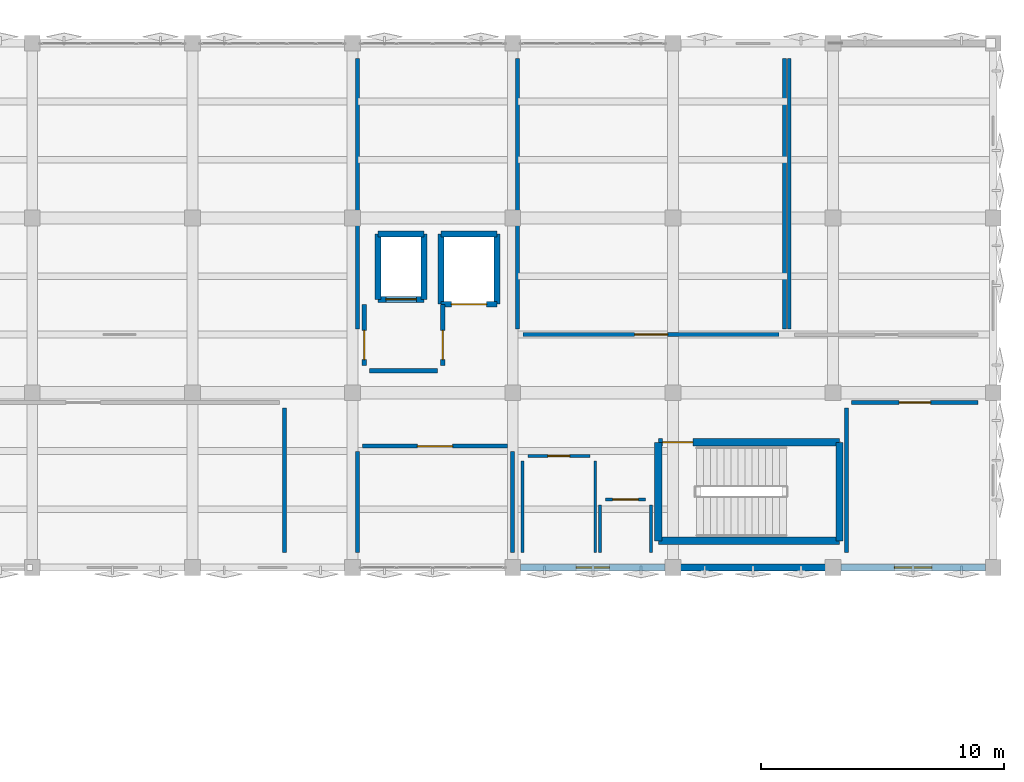
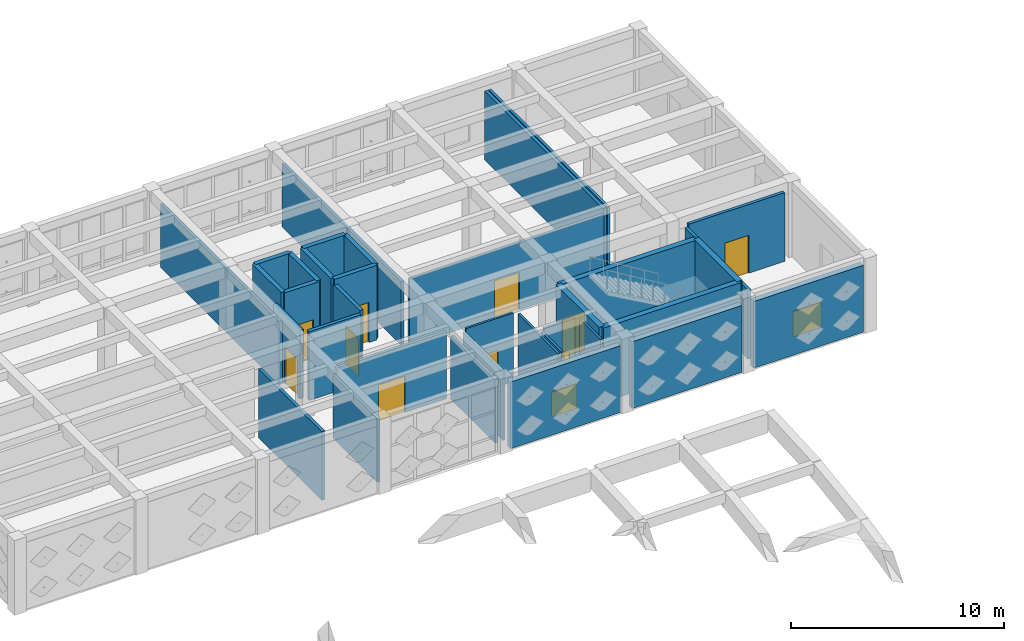
# One storey, part 59 of 67: 35 walls, 10 doors, 2 windows, 12 openings.
"""IFC4 building model written with IfcOpenShell, lengths in metres."""

from ifc_helpers import new_model, si_unit, direction, frame, frame_2d, origin, place, context, subcontext, project, spatial, rectangle, extrude, material, layer, layer_set, type_object, element, fill, save


model = new_model("IFC4")

# Units and contexts
model_context = context("Model", 3, precision=1e-05, world=origin(), true_north=direction((0.0, 1.0)))
body_context = subcontext(model_context, "Body", "Model", "MODEL_VIEW")
ifc_project = project(units=[si_unit("LENGTHUNIT", "METRE"), si_unit("AREAUNIT", "SQUARE_METRE"), si_unit("VOLUMEUNIT", "CUBIC_METRE"), si_unit("PLANEANGLEUNIT", "RADIAN"), si_unit("MASSUNIT", "GRAM", prefix="KILO")], contexts=[model_context])

# Site, building, storey
site_placement = place(None, origin())
site = spatial("IfcSite", under=ifc_project, at=site_placement, CompositionType="ELEMENT")
building_placement = place(site_placement, origin())
building = spatial("IfcBuilding", under=site, at=building_placement, Name="Kharisveld Research Institute", CompositionType="ELEMENT")
storey_placement = place(building_placement, frame((0.0, 0.0, 9.60009765625)))
storey = spatial("IfcBuildingStorey", under=building, at=storey_placement, Name="L02", CompositionType="ELEMENT", Elevation=9.60009765625)

# Walls
ifc_material_1 = material(Name="Concrete C40/50", Category="concrete")
ifc_layer_1 = layer(ifc_material_1, 0.239990234375)
ifc_layer_set_1 = layer_set([ifc_layer_1], Name="WL_CORE_240")
wall_type_1 = type_object("IfcWallType", Name="WL_CORE_240", PredefinedType="SHEAR", material=ifc_layer_set_1)
wall_1_placement = place(storey_placement, frame((135.449951171875, 50.25, 0.0), z_axis=(0.0, 0.0, 1.0), x_axis=(0.0, 1.0, 0.0)))
element("IfcWall", 1, at=wall_1_placement, inside=storey, type_object=wall_type_1, Name="WL:LFT:FFL-02:L02:W", PredefinedType="SHEAR", context=body_context, shape_type="SweptSolid", body=[
    extrude(rectangle(XDim=2.699951171875, YDim=0.239990234375, at=frame_2d((1.35009765625, 0.0))), origin(), (0.0, 0.0, 1.0), 4.27978515625),
])
wall_2_placement = place(storey_placement, frame((135.449951171875, 52.949951171875, 0.0), z_axis=(0.0, 0.0, 1.0), x_axis=(1.0, 0.0, 0.0)))
element("IfcWall", 2, at=wall_2_placement, inside=storey, type_object=wall_type_1, Name="WL:LFT:FFL-02:L02:N", PredefinedType="SHEAR", context=body_context, shape_type="SweptSolid", body=[
    extrude(rectangle(XDim=1.900146484375, YDim=0.239990234375, at=frame_2d((0.9501953125, 0.0))), origin(), (0.0, 0.0, 1.0), 4.27978515625),
])
wall_3_placement = place(storey_placement, frame((137.35009765625, 52.949951171875, 0.0), z_axis=(0.0, 0.0, 1.0), x_axis=(0.0, -1.0, 0.0)))
element("IfcWall", 3, at=wall_3_placement, inside=storey, type_object=wall_type_1, Name="WL:LFT:FFL-02:L02:E", PredefinedType="SHEAR", context=body_context, shape_type="SweptSolid", body=[
    extrude(rectangle(XDim=2.699951171875, YDim=0.239990234375, at=frame_2d((1.35009765625, 0.0))), origin(), (0.0, 0.0, 1.0), 4.27978515625),
])

# Wall, opening, door
wall_4_placement = place(storey_placement, frame((137.35009765625, 50.25, 0.0), z_axis=(0.0, 0.0, 1.0), x_axis=(-1.0, 0.0, 0.0)))
wall_4 = element("IfcWall", 4, at=wall_4_placement, inside=storey, type_object=wall_type_1, Name="WL:LFT:FFL-02:L02:S", PredefinedType="SHEAR", context=body_context, shape_type="SweptSolid", body=[
    extrude(rectangle(XDim=1.900146484375, YDim=0.239990234375, at=frame_2d((0.9501953125, 0.0))), origin(), (0.0, 0.0, 1.0), 4.27978515625),
])
opening_1_placement = place(wall_4_placement, frame((0.324951171875, 0.0, 0.0)))
opening_1 = element("IfcOpeningElement", 5, at=opening_1_placement, cuts=wall_4, Name="Opening LD-02", PredefinedType="OPENING", context=body_context, shape_type="SweptSolid", body=[
    extrude(rectangle(XDim=1.25, YDim=2.199951171875, at=frame_2d((0.625, 1.10009765625))), frame((0.0, 0.1201171875, 0.0), z_axis=(0.0, -1.0, 0.0), x_axis=(1.0, 0.0, 0.0)), (0.0, 0.0, 1.0), 0.239990234375),
])
ifc_material_2 = material(Name="Flush Painted Hardwood and Anodised Aluminium", Category="wood")
door_type_1 = type_object("IfcDoorType", Name="DR_LFT_125", OperationType="SLIDING_TO_RIGHT", PredefinedType="DOOR", material=ifc_material_2)
door_1_placement = place(opening_1_placement, origin())
door_1 = element("IfcDoor", 6, at=door_1_placement, inside=storey, type_object=door_type_1, Name="FFL-02 Lift Landing Door L02", OperationType="SLIDING_TO_RIGHT", OverallHeight=2.199951171875, OverallWidth=1.25, PredefinedType="DOOR", context=body_context, shape_type="SweptSolid", body=[
    extrude(rectangle(XDim=1.25, YDim=2.199951171875, at=frame_2d((0.625, 1.10009765625))), frame((0.0, 0.02490234375, 0.0), z_axis=(0.0, -1.0, 0.0), x_axis=(1.0, 0.0, 0.0)), (0.0, 0.0, 1.0), 0.050048828125),
])
fill(opening_1, door_1)

# Walls
wall_5_placement = place(storey_placement, frame((138.050048828125, 50.050048828125, 0.0), z_axis=(0.0, 0.0, 1.0), x_axis=(0.0, 1.0, 0.0)))
element("IfcWall", 7, at=wall_5_placement, inside=storey, type_object=wall_type_1, Name="WL:LFT:GL-01:L02:W", PredefinedType="SHEAR", context=body_context, shape_type="SweptSolid", body=[
    extrude(rectangle(XDim=2.89990234375, YDim=0.239990234375, at=frame_2d((1.449951171875, 0.0))), origin(), (0.0, 0.0, 1.0), 4.27978515625),
])
wall_6_placement = place(storey_placement, frame((138.050048828125, 52.949951171875, 0.0), z_axis=(0.0, 0.0, 1.0), x_axis=(1.0, 0.0, 0.0)))
element("IfcWall", 8, at=wall_6_placement, inside=storey, type_object=wall_type_1, Name="WL:LFT:GL-01:L02:N", PredefinedType="SHEAR", context=body_context, shape_type="SweptSolid", body=[
    extrude(rectangle(XDim=2.300048828125, YDim=0.239990234375, at=frame_2d((1.14990234375, 0.0))), origin(), (0.0, 0.0, 1.0), 4.27978515625),
])
wall_7_placement = place(storey_placement, frame((140.35009765625, 52.949951171875, 0.0), z_axis=(0.0, 0.0, 1.0), x_axis=(0.0, -1.0, 0.0)))
element("IfcWall", 9, at=wall_7_placement, inside=storey, type_object=wall_type_1, Name="WL:LFT:GL-01:L02:E", PredefinedType="SHEAR", context=body_context, shape_type="SweptSolid", body=[
    extrude(rectangle(XDim=2.89990234375, YDim=0.239990234375, at=frame_2d((1.449951171875, 0.0))), origin(), (0.0, 0.0, 1.0), 4.27978515625),
])

# Wall, opening, door
wall_8_placement = place(storey_placement, frame((140.35009765625, 50.050048828125, 0.0), z_axis=(0.0, 0.0, 1.0), x_axis=(-1.0, 0.0, 0.0)))
wall_8 = element("IfcWall", 10, at=wall_8_placement, inside=storey, type_object=wall_type_1, Name="WL:LFT:GL-01:L02:S", PredefinedType="SHEAR", context=body_context, shape_type="SweptSolid", body=[
    extrude(rectangle(XDim=2.300048828125, YDim=0.239990234375, at=frame_2d((1.14990234375, 0.0))), origin(), (0.0, 0.0, 1.0), 4.27978515625),
])
opening_2_placement = place(wall_8_placement, frame((0.425048828125, 0.0, 0.0)))
opening_2 = element("IfcOpeningElement", 11, at=opening_2_placement, cuts=wall_8, Name="Opening LD-03", PredefinedType="OPENING", context=body_context, shape_type="SweptSolid", body=[
    extrude(rectangle(XDim=1.449951171875, YDim=2.300048828125, at=frame_2d((0.72509765625, 1.14990234375))), frame((0.0, 0.1201171875, 0.0), z_axis=(0.0, -1.0, 0.0), x_axis=(1.0, 0.0, 0.0)), (0.0, 0.0, 1.0), 0.239990234375),
])
ifc_material_3 = material(Name="Flush Painted Hardwood and Anodised Aluminium", Category="wood")
door_type_2 = type_object("IfcDoorType", Name="DR_LFT_145", OperationType="DOUBLE_DOOR_SLIDING", PredefinedType="DOOR", material=ifc_material_3)
door_2_placement = place(opening_2_placement, origin())
door_2 = element("IfcDoor", 12, at=door_2_placement, inside=storey, type_object=door_type_2, Name="GL-01 Lift Landing Door L02", OperationType="DOUBLE_DOOR_SLIDING", OverallHeight=2.300048828125, OverallWidth=1.449951171875, PredefinedType="DOOR", context=body_context, shape_type="SweptSolid", body=[
    extrude(rectangle(XDim=1.449951171875, YDim=2.300048828125, at=frame_2d((0.72509765625, 1.14990234375))), frame((0.0, 0.02490234375, 0.0), z_axis=(0.0, -1.0, 0.0), x_axis=(1.0, 0.0, 0.0)), (0.0, 0.0, 1.0), 0.050048828125),
])
fill(opening_2, door_2)

# Wall
ifc_material_4 = material(Name="Concrete C40/50", Category="concrete")
ifc_layer_2 = layer(ifc_material_4, 0.300048828125)
ifc_layer_set_2 = layer_set([ifc_layer_2], Name="WL_CORE_300")
wall_type_2 = type_object("IfcWallType", Name="WL_CORE_300", PredefinedType="SHEAR", material=ifc_layer_set_2)
wall_9_placement = place(storey_placement, frame((147.0, 40.300048828125, 0.0), z_axis=(0.0, 0.0, 1.0), x_axis=(0.0, 1.0, 0.0)))
element("IfcWall", 13, at=wall_9_placement, inside=storey, type_object=wall_type_2, Name="WL:STR:ST3:L02:W", PredefinedType="SHEAR", context=body_context, shape_type="SweptSolid", body=[
    extrude(rectangle(XDim=4.06005859375, YDim=0.300048828125, at=frame_2d((2.030029296875, 0.0))), origin(), (0.0, 0.0, 1.0), 4.27978515625),
])

# Wall, opening, door
wall_10_placement = place(storey_placement, frame((147.0, 44.360107421875, 0.0), z_axis=(0.0, 0.0, 1.0), x_axis=(1.0, 0.0, 0.0)))
wall_10 = element("IfcWall", 14, at=wall_10_placement, inside=storey, type_object=wall_type_2, Name="WL:STR:ST3:L02:N", PredefinedType="SHEAR", context=body_context, shape_type="SweptSolid", body=[
    extrude(rectangle(XDim=7.469970703125, YDim=0.300048828125, at=frame_2d((3.73486328125, 0.0))), origin(), (0.0, 0.0, 1.0), 4.27978515625),
])
opening_3_placement = place(wall_10_placement, frame((0.179931640625, 0.0, 0.0)))
opening_3 = element("IfcOpeningElement", 15, at=opening_3_placement, cuts=wall_10, Name="Opening DS-030", PredefinedType="OPENING", context=body_context, shape_type="SweptSolid", body=[
    extrude(rectangle(XDim=1.239990234375, YDim=2.14990234375, at=frame_2d((0.6201171875, 1.074951171875))), frame((0.0, 0.14990234375, 0.0), z_axis=(0.0, -1.0, 0.0), x_axis=(1.0, 0.0, 0.0)), (0.0, 0.0, 1.0), 0.300048828125),
])
ifc_material_5 = material(Name="Flush Painted Hardwood and Anodised Aluminium", Category="wood")
door_type_3 = type_object("IfcDoorType", Name="DR_FD60_124", OperationType="NOTDEFINED", PredefinedType="DOOR", material=ifc_material_5)
door_3_placement = place(opening_3_placement, origin())
door_3 = element("IfcDoor", 16, at=door_3_placement, inside=storey, type_object=door_type_3, Name="DR:STR:ST3:L02", OperationType="SINGLE_SWING_LEFT", OverallHeight=2.14990234375, OverallWidth=1.239990234375, PredefinedType="DOOR", context=body_context, shape_type="SweptSolid", body=[
    extrude(rectangle(XDim=1.239990234375, YDim=2.14990234375, at=frame_2d((0.6201171875, 1.074951171875))), frame((0.0, 0.02490234375, 0.0), z_axis=(0.0, -1.0, 0.0), x_axis=(1.0, 0.0, 0.0)), (0.0, 0.0, 1.0), 0.050048828125),
])
fill(opening_3, door_3)

# Walls
wall_11_placement = place(storey_placement, frame((154.469970703125, 44.360107421875, 0.0), z_axis=(0.0, 0.0, 1.0), x_axis=(0.0, -1.0, 0.0)))
element("IfcWall", 17, at=wall_11_placement, inside=storey, type_object=wall_type_2, Name="WL:STR:ST3:L02:E", PredefinedType="SHEAR", context=body_context, shape_type="SweptSolid", body=[
    extrude(rectangle(XDim=4.06005859375, YDim=0.300048828125, at=frame_2d((2.030029296875, 0.0))), origin(), (0.0, 0.0, 1.0), 4.27978515625),
])
wall_12_placement = place(storey_placement, frame((154.469970703125, 40.300048828125, 0.0), z_axis=(0.0, 0.0, 1.0), x_axis=(-1.0, 0.0, 0.0)))
element("IfcWall", 18, at=wall_12_placement, inside=storey, type_object=wall_type_2, Name="WL:STR:ST3:L02:S", PredefinedType="SHEAR", context=body_context, shape_type="SweptSolid", body=[
    extrude(rectangle(XDim=7.469970703125, YDim=0.300048828125, at=frame_2d((3.73486328125, 0.0))), origin(), (0.0, 0.0, 1.0), 4.27978515625),
])

# Wall, opening, window
ifc_material_6 = material(Name="Precast Concrete C40/50 Ochre Panel", Category="concrete")
ifc_layer_3 = layer(ifc_material_6, 0.304931640625)
ifc_layer_set_3 = layer_set([ifc_layer_3], Name="WL_EXT_305")
wall_type_3 = type_object("IfcWallType", Name="WL_EXT_305", PredefinedType="STANDARD", material=ifc_layer_set_3)
wall_13_placement = place(storey_placement, frame((160.47998046875, 39.199951171875, 0.0), z_axis=(0.0, 0.0, 1.0), x_axis=(-1.0, 0.0, 0.0)))
wall_13 = element("IfcWall", 19, at=wall_13_placement, inside=storey, type_object=wall_type_3, Name="WL:V2:L02:S7", PredefinedType="STANDARD", context=body_context, shape_type="SweptSolid", body=[
    extrude(rectangle(XDim=5.9599609375, YDim=0.304931640625, at=frame_2d((2.97998046875, 0.0))), origin(), (0.0, 0.0, 1.0), 3.8349609375),
])
opening_4_placement = place(wall_13_placement, frame((2.205078125, 0.0, 0.949951171875)))
opening_4 = element("IfcOpeningElement", 20, at=opening_4_placement, cuts=wall_13, Name="Opening WN-25", PredefinedType="OPENING", context=body_context, shape_type="SweptSolid", body=[
    extrude(rectangle(XDim=1.550048828125, YDim=1.4599609375, at=frame_2d((0.77490234375, 0.72998046875))), frame((0.0, 0.15234375, 0.0), z_axis=(0.0, -1.0, 0.0), x_axis=(1.0, 0.0, 0.0)), (0.0, 0.0, 1.0), 0.304931640625),
])
ifc_material_7 = material(Name="Low-E Double Glazing", Category="glass")
window_type_1 = type_object("IfcWindowType", Name="WN_25", PartitioningType="DOUBLE_PANEL_VERTICAL", PredefinedType="WINDOW", material=ifc_material_7)
window_1_placement = place(opening_4_placement, origin())
window_1 = element("IfcWindow", 21, at=window_1_placement, inside=storey, type_object=window_type_1, Name="WN:V2:L02:S7", OverallHeight=1.4599609375, OverallWidth=1.550048828125, PartitioningType="SINGLE_PANEL", PredefinedType="WINDOW", context=body_context, shape_type="SweptSolid", body=[
    extrude(rectangle(XDim=1.550048828125, YDim=1.4599609375, at=frame_2d((0.77490234375, 0.72998046875))), frame((0.0, 0.030029296875, 0.0), z_axis=(0.0, -1.0, 0.0), x_axis=(1.0, 0.0, 0.0)), (0.0, 0.0, 1.0), 0.06005859375),
])
fill(opening_4, window_1)

# Wall
wall_14_placement = place(storey_placement, frame((153.8798828125, 39.199951171875, 0.0), z_axis=(0.0, 0.0, 1.0), x_axis=(-1.0, 0.0, 0.0)))
element("IfcWall", 22, at=wall_14_placement, inside=storey, type_object=wall_type_3, Name="WL:V2:L02:S6", PredefinedType="STANDARD", context=body_context, shape_type="SweptSolid", body=[
    extrude(rectangle(XDim=5.9599609375, YDim=0.304931640625, at=frame_2d((2.97998046875, 0.0))), origin(), (0.0, 0.0, 1.0), 3.8349609375),
])

# Wall, opening, window
wall_15_placement = place(storey_placement, frame((147.280029296875, 39.199951171875, 0.0), z_axis=(0.0, 0.0, 1.0), x_axis=(-1.0, 0.0, 0.0)))
wall_15 = element("IfcWall", 23, at=wall_15_placement, inside=storey, type_object=wall_type_3, Name="WL:V2:L02:S5", PredefinedType="STANDARD", context=body_context, shape_type="SweptSolid", body=[
    extrude(rectangle(XDim=5.9599609375, YDim=0.304931640625, at=frame_2d((2.97998046875, 0.0))), origin(), (0.0, 0.0, 1.0), 3.8349609375),
])
opening_5_placement = place(wall_15_placement, frame((2.294921875, 0.0, 0.949951171875)))
opening_5 = element("IfcOpeningElement", 24, at=opening_5_placement, cuts=wall_15, Name="Opening WN-23", PredefinedType="OPENING", context=body_context, shape_type="SweptSolid", body=[
    extrude(rectangle(XDim=1.3701171875, YDim=1.419921875, at=frame_2d((0.68505859375, 0.7099609375))), frame((0.0, 0.15234375, 0.0), z_axis=(0.0, -1.0, 0.0), x_axis=(1.0, 0.0, 0.0)), (0.0, 0.0, 1.0), 0.304931640625),
])
ifc_material_8 = material(Name="Low-E Double Glazing", Category="glass")
window_type_2 = type_object("IfcWindowType", Name="WN_23", PartitioningType="DOUBLE_PANEL_VERTICAL", PredefinedType="WINDOW", material=ifc_material_8)
window_2_placement = place(opening_5_placement, origin())
window_2 = element("IfcWindow", 25, at=window_2_placement, inside=storey, type_object=window_type_2, Name="WN:V2:L02:S5", OverallHeight=1.419921875, OverallWidth=1.3701171875, PartitioningType="SINGLE_PANEL", PredefinedType="WINDOW", context=body_context, shape_type="SweptSolid", body=[
    extrude(rectangle(XDim=1.3701171875, YDim=1.419921875, at=frame_2d((0.68505859375, 0.7099609375))), frame((0.0, 0.030029296875, 0.0), z_axis=(0.0, -1.0, 0.0), x_axis=(1.0, 0.0, 0.0)), (0.0, 0.0, 1.0), 0.06005859375),
])
fill(opening_5, window_2)

# Wall
ifc_material_9 = material(Name="Acoustic Drywall Partition", Category="mineral")
ifc_layer_4 = layer(ifc_material_9, 0.1650390625)
ifc_layer_set_4 = layer_set([ifc_layer_4], Name="WL_LAB_165")
wall_type_4 = type_object("IfcWallType", Name="WL_LAB_165", PredefinedType="PARTITIONING", material=ifc_layer_set_4)
wall_16_placement = place(storey_placement, frame((134.60009765625, 49.02001953125, 0.0), z_axis=(0.0, 0.0, 1.0), x_axis=(0.0, 1.0, 0.0)))
element("IfcWall", 26, at=wall_16_placement, inside=storey, type_object=wall_type_4, Name="WL:RM:V2:L02:WLA:E", PredefinedType="PARTITIONING", context=body_context, shape_type="SweptSolid", body=[
    extrude(rectangle(XDim=11.159912109375, YDim=0.1650390625, at=frame_2d((5.580078125, 0.0))), origin(), (0.0, 0.0, 1.0), 3.635009765625),
])

# Wall, opening, door
wall_17_placement = place(storey_placement, frame((141.419921875, 48.800048828125, 0.0), z_axis=(0.0, 0.0, 1.0), x_axis=(1.0, 0.0, 0.0)))
wall_17 = element("IfcWall", 27, at=wall_17_placement, inside=storey, type_object=wall_type_4, Name="WL:RM:V2:L02:WLB:S", PredefinedType="PARTITIONING", context=body_context, shape_type="SweptSolid", body=[
    extrude(rectangle(XDim=10.56005859375, YDim=0.1650390625, at=frame_2d((5.280029296875, 0.0))), origin(), (0.0, 0.0, 1.0), 3.8349609375),
])
opening_6_placement = place(wall_17_placement, frame((4.60009765625, 0.0, 0.0)))
opening_6 = element("IfcOpeningElement", 28, at=opening_6_placement, cuts=wall_17, Name="Opening DI-208", PredefinedType="OPENING", context=body_context, shape_type="SweptSolid", body=[
    extrude(rectangle(XDim=1.360107421875, YDim=2.139892578125, at=frame_2d((0.68017578125, 1.06982421875))), frame((0.0, 0.08251953125, 0.0), z_axis=(0.0, -1.0, 0.0), x_axis=(1.0, 0.0, 0.0)), (0.0, 0.0, 1.0), 0.1650390625),
])
ifc_material_10 = material(Name="Flush Painted Hardwood and Anodised Aluminium", Category="wood")
door_type_4 = type_object("IfcDoorType", Name="DR_VAR_16", OperationType="NOTDEFINED", PredefinedType="DOOR", material=ifc_material_10)
door_4_placement = place(opening_6_placement, origin())
door_4 = element("IfcDoor", 29, at=door_4_placement, inside=storey, type_object=door_type_4, Name="DR:RM:V2:L02:WLB:S", OperationType="SINGLE_SWING_RIGHT", OverallHeight=2.139892578125, OverallWidth=1.360107421875, PredefinedType="DOOR", context=body_context, shape_type="SweptSolid", body=[
    extrude(rectangle(XDim=1.360107421875, YDim=2.139892578125, at=frame_2d((0.68017578125, 1.06982421875))), frame((0.0, 0.02490234375, 0.0), z_axis=(0.0, -1.0, 0.0), x_axis=(1.0, 0.0, 0.0)), (0.0, 0.0, 1.0), 0.050048828125),
])
fill(opening_6, door_4)

# Walls
wall_18_placement = place(storey_placement, frame((152.199951171875, 49.02001953125, 0.0), z_axis=(0.0, 0.0, 1.0), x_axis=(0.0, 1.0, 0.0)))
element("IfcWall", 30, at=wall_18_placement, inside=storey, type_object=wall_type_4, Name="WL:RM:V2:L02:WLB:E", PredefinedType="PARTITIONING", context=body_context, shape_type="SweptSolid", body=[
    extrude(rectangle(XDim=11.159912109375, YDim=0.1650390625, at=frame_2d((5.580078125, 0.0))), origin(), (0.0, 0.0, 1.0), 3.949951171875),
])
wall_19_placement = place(storey_placement, frame((141.199951171875, 60.179931640625, 0.0), z_axis=(0.0, 0.0, 1.0), x_axis=(0.0, -1.0, 0.0)))
element("IfcWall", 31, at=wall_19_placement, inside=storey, type_object=wall_type_4, Name="WL:RM:V2:L02:WLB:W", PredefinedType="PARTITIONING", context=body_context, shape_type="SweptSolid", body=[
    extrude(rectangle(XDim=11.159912109375, YDim=0.1650390625, at=frame_2d((5.580078125, 0.0))), origin(), (0.0, 0.0, 1.0), 3.635009765625),
])
wall_20_placement = place(storey_placement, frame((131.60009765625, 39.820068359375, 0.0), z_axis=(0.0, 0.0, 1.0), x_axis=(0.0, 1.0, 0.0)))
element("IfcWall", 32, at=wall_20_placement, inside=storey, type_object=wall_type_4, Name="WL:RM:V2:L02:WLC:E", PredefinedType="PARTITIONING", context=body_context, shape_type="SweptSolid", body=[
    extrude(rectangle(XDim=5.9599609375, YDim=0.1650390625, at=frame_2d((2.97998046875, 0.0))), origin(), (0.0, 0.0, 1.0), 3.949951171875),
])
wall_21_placement = place(storey_placement, frame((141.0, 39.820068359375, 0.0), z_axis=(0.0, 0.0, 1.0), x_axis=(0.0, 1.0, 0.0)))
element("IfcWall", 33, at=wall_21_placement, inside=storey, type_object=wall_type_4, Name="WL:RM:V2:L02:WLE:E", PredefinedType="PARTITIONING", context=body_context, shape_type="SweptSolid", body=[
    extrude(rectangle(XDim=4.159912109375, YDim=0.1650390625, at=frame_2d((2.080078125, 0.0))), origin(), (0.0, 0.0, 1.0), 3.635009765625),
])

# Wall, opening, door
wall_22_placement = place(storey_placement, frame((140.780029296875, 44.199951171875, 0.0), z_axis=(0.0, 0.0, 1.0), x_axis=(-1.0, 0.0, 0.0)))
wall_22 = element("IfcWall", 34, at=wall_22_placement, inside=storey, type_object=wall_type_4, Name="WL:RM:V2:L02:WLE:N", PredefinedType="PARTITIONING", context=body_context, shape_type="SweptSolid", body=[
    extrude(rectangle(XDim=5.9599609375, YDim=0.1650390625, at=frame_2d((2.97998046875, 0.0))), origin(), (0.0, 0.0, 1.0), 3.8349609375),
])
opening_7_placement = place(wall_22_placement, frame((2.2548828125, 0.0, 0.0)))
opening_7 = element("IfcOpeningElement", 35, at=opening_7_placement, cuts=wall_22, Name="Opening DI-211", PredefinedType="OPENING", context=body_context, shape_type="SweptSolid", body=[
    extrude(rectangle(XDim=1.449951171875, YDim=2.080078125, at=frame_2d((0.72509765625, 1.0400390625))), frame((0.0, 0.08251953125, 0.0), z_axis=(0.0, -1.0, 0.0), x_axis=(1.0, 0.0, 0.0)), (0.0, 0.0, 1.0), 0.1650390625),
])
ifc_material_11 = material(Name="Flush Painted Hardwood and Anodised Aluminium", Category="wood")
door_type_5 = type_object("IfcDoorType", Name="DR_VAR_19", OperationType="NOTDEFINED", PredefinedType="DOOR", material=ifc_material_11)
door_5_placement = place(opening_7_placement, origin())
door_5 = element("IfcDoor", 36, at=door_5_placement, inside=storey, type_object=door_type_5, Name="DR:RM:V2:L02:WLE:N", OperationType="SINGLE_SWING_LEFT", OverallHeight=2.080078125, OverallWidth=1.449951171875, PredefinedType="DOOR", context=body_context, shape_type="SweptSolid", body=[
    extrude(rectangle(XDim=1.449951171875, YDim=2.080078125, at=frame_2d((0.72509765625, 1.0400390625))), frame((0.0, 0.02490234375, 0.0), z_axis=(0.0, -1.0, 0.0), x_axis=(1.0, 0.0, 0.0)), (0.0, 0.0, 1.0), 0.050048828125),
])
fill(opening_7, door_5)

# Wall
wall_23_placement = place(storey_placement, frame((134.60009765625, 43.97998046875, 0.0), z_axis=(0.0, 0.0, 1.0), x_axis=(0.0, -1.0, 0.0)))
element("IfcWall", 37, at=wall_23_placement, inside=storey, type_object=wall_type_4, Name="WL:RM:V2:L02:WLE:W", PredefinedType="PARTITIONING", context=body_context, shape_type="SweptSolid", body=[
    extrude(rectangle(XDim=4.159912109375, YDim=0.1650390625, at=frame_2d((2.080078125, 0.0))), origin(), (0.0, 0.0, 1.0), 3.635009765625),
])

# Wall, opening, door
wall_24_placement = place(storey_placement, frame((160.179931640625, 46.0, 0.0), z_axis=(0.0, 0.0, 1.0), x_axis=(-1.0, 0.0, 0.0)))
wall_24 = element("IfcWall", 38, at=wall_24_placement, inside=storey, type_object=wall_type_4, Name="WL:RM:V2:L02:SEM:N", PredefinedType="PARTITIONING", context=body_context, shape_type="SweptSolid", body=[
    extrude(rectangle(XDim=5.2099609375, YDim=0.1650390625, at=frame_2d((2.60498046875, 0.0))), origin(), (0.0, 0.0, 1.0), 3.949951171875),
])
opening_8_placement = place(wall_24_placement, frame((1.955078125, 0.0, 0.0)))
opening_8 = element("IfcOpeningElement", 39, at=opening_8_placement, cuts=wall_24, Name="Opening DI-212", PredefinedType="OPENING", context=body_context, shape_type="SweptSolid", body=[
    extrude(rectangle(XDim=1.300048828125, YDim=2.179931640625, at=frame_2d((0.64990234375, 1.08984375))), frame((0.0, 0.08251953125, 0.0), z_axis=(0.0, -1.0, 0.0), x_axis=(1.0, 0.0, 0.0)), (0.0, 0.0, 1.0), 0.1650390625),
])
ifc_material_12 = material(Name="Flush Painted Hardwood and Anodised Aluminium", Category="wood")
door_type_6 = type_object("IfcDoorType", Name="DR_SEM_130", OperationType="DOUBLE_DOOR_SINGLE_SWING", PredefinedType="DOOR", material=ifc_material_12)
door_6_placement = place(opening_8_placement, origin())
door_6 = element("IfcDoor", 40, at=door_6_placement, inside=storey, type_object=door_type_6, Name="DR:RM:V2:L02:SEM:N", OperationType="DOUBLE_DOOR_SINGLE_SWING", OverallHeight=2.179931640625, OverallWidth=1.300048828125, PredefinedType="DOOR", context=body_context, shape_type="SweptSolid", body=[
    extrude(rectangle(XDim=1.300048828125, YDim=2.179931640625, at=frame_2d((0.64990234375, 1.08984375))), frame((0.0, 0.02490234375, 0.0), z_axis=(0.0, -1.0, 0.0), x_axis=(1.0, 0.0, 0.0)), (0.0, 0.0, 1.0), 0.050048828125),
])
fill(opening_8, door_6)

# Walls
wall_25_placement = place(storey_placement, frame((154.75, 45.780029296875, 0.0), z_axis=(0.0, 0.0, 1.0), x_axis=(0.0, -1.0, 0.0)))
element("IfcWall", 41, at=wall_25_placement, inside=storey, type_object=wall_type_4, Name="WL:RM:V2:L02:SEM:W", PredefinedType="PARTITIONING", context=body_context, shape_type="SweptSolid", body=[
    extrude(rectangle(XDim=5.9599609375, YDim=0.1650390625, at=frame_2d((2.97998046875, 0.0))), origin(), (0.0, 0.0, 1.0), 3.949951171875),
])
ifc_material_13 = material(Name="Masonry Blockwork", Category="masonry")
ifc_layer_5 = layer(ifc_material_13, 0.18505859375)
ifc_layer_set_5 = layer_set([ifc_layer_5], Name="WL_LOB_185")
wall_type_5 = type_object("IfcWallType", Name="WL_LOB_185", PredefinedType="SOLIDWALL", material=ifc_layer_set_5)
wall_26_placement = place(storey_placement, frame((135.10009765625, 47.300048828125, 0.0), z_axis=(0.0, 0.0, 1.0), x_axis=(1.0, 0.0, 0.0)))
element("IfcWall", 42, at=wall_26_placement, inside=storey, type_object=wall_type_5, Name="WL:RM:V2:L02:FFL:S", PredefinedType="SOLIDWALL", context=body_context, shape_type="SweptSolid", body=[
    extrude(rectangle(XDim=2.7998046875, YDim=0.18505859375, at=frame_2d((1.39990234375, 0.0))), origin(), (0.0, 0.0, 1.0), 3.949951171875),
])

# Wall, opening, door
wall_27_placement = place(storey_placement, frame((138.1201171875, 47.52001953125, 0.0), z_axis=(0.0, 0.0, 1.0), x_axis=(0.0, 1.0, 0.0)))
wall_27 = element("IfcWall", 43, at=wall_27_placement, inside=storey, type_object=wall_type_5, Name="WL:RM:V2:L02:FFL:E", PredefinedType="SOLIDWALL", context=body_context, shape_type="SweptSolid", body=[
    extrude(rectangle(XDim=2.510009765625, YDim=0.18505859375, at=frame_2d((1.2548828125, 0.0))), origin(), (0.0, 0.0, 1.0), 3.949951171875),
])
opening_9_placement = place(wall_27_placement, frame((0.25, 0.0, 0.0)))
opening_9 = element("IfcOpeningElement", 44, at=opening_9_placement, cuts=wall_27, Name="Opening DI-203", PredefinedType="OPENING", context=body_context, shape_type="SweptSolid", body=[
    extrude(rectangle(XDim=1.199951171875, YDim=2.14990234375, at=frame_2d((0.60009765625, 1.074951171875))), frame((0.0, 0.092529296875, 0.0), z_axis=(0.0, -1.0, 0.0), x_axis=(1.0, 0.0, 0.0)), (0.0, 0.0, 1.0), 0.18505859375),
])
ifc_material_14 = material(Name="Flush Painted Hardwood and Anodised Aluminium", Category="wood")
door_type_7 = type_object("IfcDoorType", Name="DR_FD120_120", OperationType="NOTDEFINED", PredefinedType="DOOR", material=ifc_material_14)
door_7_placement = place(opening_9_placement, origin())
door_7 = element("IfcDoor", 45, at=door_7_placement, inside=storey, type_object=door_type_7, Name="DR:RM:V2:L02:FFL:E", OperationType="SINGLE_SWING_LEFT", OverallHeight=2.14990234375, OverallWidth=1.199951171875, PredefinedType="DOOR", context=body_context, shape_type="SweptSolid", body=[
    extrude(rectangle(XDim=1.199951171875, YDim=2.14990234375, at=frame_2d((0.60009765625, 1.074951171875))), frame((0.0, 0.02490234375, 0.0), z_axis=(0.0, -1.0, 0.0), x_axis=(1.0, 0.0, 0.0)), (0.0, 0.0, 1.0), 0.050048828125),
])
fill(opening_9, door_7)

wall_28_placement = place(storey_placement, frame((134.8798828125, 50.030029296875, 0.0), z_axis=(0.0, 0.0, 1.0), x_axis=(0.0, -1.0, 0.0)))
wall_28 = element("IfcWall", 46, at=wall_28_placement, inside=storey, type_object=wall_type_5, Name="WL:RM:V2:L02:FFL:W", PredefinedType="SOLIDWALL", context=body_context, shape_type="SweptSolid", body=[
    extrude(rectangle(XDim=2.510009765625, YDim=0.18505859375, at=frame_2d((1.2548828125, 0.0))), origin(), (0.0, 0.0, 1.0), 3.949951171875),
])
opening_10_placement = place(wall_28_placement, frame((1.06005859375, 0.0, 0.0)))
opening_10 = element("IfcOpeningElement", 47, at=opening_10_placement, cuts=wall_28, Name="Opening DI-204", PredefinedType="OPENING", context=body_context, shape_type="SweptSolid", body=[
    extrude(rectangle(XDim=1.199951171875, YDim=2.14990234375, at=frame_2d((0.60009765625, 1.074951171875))), frame((0.0, 0.092529296875, 0.0), z_axis=(0.0, -1.0, 0.0), x_axis=(1.0, 0.0, 0.0)), (0.0, 0.0, 1.0), 0.18505859375),
])
door_8_placement = place(opening_10_placement, origin())
door_8 = element("IfcDoor", 48, at=door_8_placement, inside=storey, type_object=door_type_7, Name="DR:RM:V2:L02:FFL:W", OperationType="SINGLE_SWING_RIGHT", OverallHeight=2.14990234375, OverallWidth=1.199951171875, PredefinedType="DOOR", context=body_context, shape_type="SweptSolid", body=[
    extrude(rectangle(XDim=1.199951171875, YDim=2.14990234375, at=frame_2d((0.60009765625, 1.074951171875))), frame((0.0, 0.02490234375, 0.0), z_axis=(0.0, -1.0, 0.0), x_axis=(1.0, 0.0, 0.0)), (0.0, 0.0, 1.0), 0.050048828125),
])
fill(opening_10, door_8)

# Walls
ifc_material_15 = material(Name="Insulated Stud Partition", Category="mineral")
ifc_layer_6 = layer(ifc_material_15, 0.139892578125)
ifc_layer_set_6 = layer_set([ifc_layer_6], Name="WL_OFF_140")
wall_type_6 = type_object("IfcWallType", Name="WL_OFF_140", PredefinedType="PARTITIONING", material=ifc_layer_set_6)
wall_29_placement = place(storey_placement, frame((152.39990234375, 60.179931640625, 0.0), z_axis=(0.0, 0.0, 1.0), x_axis=(0.0, -1.0, 0.0)))
element("IfcWall", 49, at=wall_29_placement, inside=storey, type_object=wall_type_6, Name="WL:RM:V2:L02:WLD:W", PredefinedType="PARTITIONING", context=body_context, shape_type="SweptSolid", body=[
    extrude(rectangle(XDim=11.159912109375, YDim=0.139892578125, at=frame_2d((5.580078125, 0.0))), origin(), (0.0, 0.0, 1.0), 3.949951171875),
])
ifc_material_16 = material(Name="Moisture-Resistant Partition", Category="mineral")
ifc_layer_7 = layer(ifc_material_16, 0.114990234375)
ifc_layer_set_7 = layer_set([ifc_layer_7], Name="WL_WC_115")
wall_type_7 = type_object("IfcWallType", Name="WL_WC_115", PredefinedType="PARTITIONING", material=ifc_layer_set_7)
wall_30_placement = place(storey_placement, frame((144.39990234375, 39.820068359375, 0.0), z_axis=(0.0, 0.0, 1.0), x_axis=(0.0, 1.0, 0.0)))
element("IfcWall", 50, at=wall_30_placement, inside=storey, type_object=wall_type_7, Name="WL:RM:V2:L02:WCM:E", PredefinedType="PARTITIONING", context=body_context, shape_type="SweptSolid", body=[
    extrude(rectangle(XDim=3.760009765625, YDim=0.114990234375, at=frame_2d((1.8798828125, 0.0))), origin(), (0.0, 0.0, 1.0), 3.949951171875),
])

# Wall, opening, door
wall_31_placement = place(storey_placement, frame((144.179931640625, 43.800048828125, 0.0), z_axis=(0.0, 0.0, 1.0), x_axis=(-1.0, 0.0, 0.0)))
wall_31 = element("IfcWall", 51, at=wall_31_placement, inside=storey, type_object=wall_type_7, Name="WL:RM:V2:L02:WCM:N", PredefinedType="PARTITIONING", context=body_context, shape_type="SweptSolid", body=[
    extrude(rectangle(XDim=2.559814453125, YDim=0.114990234375, at=frame_2d((1.27978515625, 0.0))), origin(), (0.0, 0.0, 1.0), 3.949951171875),
])
opening_11_placement = place(wall_31_placement, frame((0.830078125, 0.0, 0.0)))
opening_11 = element("IfcOpeningElement", 52, at=opening_11_placement, cuts=wall_31, Name="Opening DI-205", PredefinedType="OPENING", context=body_context, shape_type="SweptSolid", body=[
    extrude(rectangle(XDim=0.89990234375, YDim=2.10009765625, at=frame_2d((0.449951171875, 1.050048828125))), frame((0.0, 0.0576171875, 0.0), z_axis=(0.0, -1.0, 0.0), x_axis=(1.0, 0.0, 0.0)), (0.0, 0.0, 1.0), 0.114990234375),
])
ifc_material_17 = material(Name="Flush Painted Hardwood and Anodised Aluminium", Category="wood")
door_type_8 = type_object("IfcDoorType", Name="DR_WC_090", OperationType="NOTDEFINED", PredefinedType="DOOR", material=ifc_material_17)
door_9_placement = place(opening_11_placement, origin())
door_9 = element("IfcDoor", 53, at=door_9_placement, inside=storey, type_object=door_type_8, Name="DR:RM:V2:L02:WCM:N", OperationType="SINGLE_SWING_LEFT", OverallHeight=2.10009765625, OverallWidth=0.89990234375, PredefinedType="DOOR", context=body_context, shape_type="SweptSolid", body=[
    extrude(rectangle(XDim=0.89990234375, YDim=2.10009765625, at=frame_2d((0.449951171875, 1.050048828125))), frame((0.0, 0.02490234375, 0.0), z_axis=(0.0, -1.0, 0.0), x_axis=(1.0, 0.0, 0.0)), (0.0, 0.0, 1.0), 0.050048828125),
])
fill(opening_11, door_9)

# Walls
wall_32_placement = place(storey_placement, frame((141.39990234375, 43.580078125, 0.0), z_axis=(0.0, 0.0, 1.0), x_axis=(0.0, -1.0, 0.0)))
element("IfcWall", 54, at=wall_32_placement, inside=storey, type_object=wall_type_7, Name="WL:RM:V2:L02:WCM:W", PredefinedType="PARTITIONING", context=body_context, shape_type="SweptSolid", body=[
    extrude(rectangle(XDim=3.760009765625, YDim=0.114990234375, at=frame_2d((1.8798828125, 0.0))), origin(), (0.0, 0.0, 1.0), 3.949951171875),
])
wall_33_placement = place(storey_placement, frame((146.699951171875, 39.820068359375, 0.0), z_axis=(0.0, 0.0, 1.0), x_axis=(0.0, 1.0, 0.0)))
element("IfcWall", 55, at=wall_33_placement, inside=storey, type_object=wall_type_7, Name="WL:RM:V2:L02:WCA:E", PredefinedType="PARTITIONING", context=body_context, shape_type="SweptSolid", body=[
    extrude(rectangle(XDim=1.9599609375, YDim=0.114990234375, at=frame_2d((0.97998046875, 0.0))), origin(), (0.0, 0.0, 1.0), 3.949951171875),
])

# Wall, opening, door
wall_34_placement = place(storey_placement, frame((146.47998046875, 42.0, 0.0), z_axis=(0.0, 0.0, 1.0), x_axis=(-1.0, 0.0, 0.0)))
wall_34 = element("IfcWall", 56, at=wall_34_placement, inside=storey, type_object=wall_type_7, Name="WL:RM:V2:L02:WCA:N", PredefinedType="PARTITIONING", context=body_context, shape_type="SweptSolid", body=[
    extrude(rectangle(XDim=1.659912109375, YDim=0.114990234375, at=frame_2d((0.830078125, 0.0))), origin(), (0.0, 0.0, 1.0), 3.949951171875),
])
opening_12_placement = place(wall_34_placement, frame((0.300048828125, 0.0, 0.0)))
opening_12 = element("IfcOpeningElement", 57, at=opening_12_placement, cuts=wall_34, Name="Opening DI-206", PredefinedType="OPENING", context=body_context, shape_type="SweptSolid", body=[
    extrude(rectangle(XDim=1.06005859375, YDim=2.1201171875, at=frame_2d((0.530029296875, 1.06005859375))), frame((0.0, 0.0576171875, 0.0), z_axis=(0.0, -1.0, 0.0), x_axis=(1.0, 0.0, 0.0)), (0.0, 0.0, 1.0), 0.114990234375),
])
ifc_material_18 = material(Name="Flush Painted Hardwood and Anodised Aluminium", Category="wood")
door_type_9 = type_object("IfcDoorType", Name="DR_WCA_106", OperationType="NOTDEFINED", PredefinedType="DOOR", material=ifc_material_18)
door_10_placement = place(opening_12_placement, origin())
door_10 = element("IfcDoor", 58, at=door_10_placement, inside=storey, type_object=door_type_9, Name="DR:RM:V2:L02:WCA:N", OperationType="SINGLE_SWING_RIGHT", OverallHeight=2.1201171875, OverallWidth=1.06005859375, PredefinedType="DOOR", context=body_context, shape_type="SweptSolid", body=[
    extrude(rectangle(XDim=1.06005859375, YDim=2.1201171875, at=frame_2d((0.530029296875, 1.06005859375))), frame((0.0, 0.02490234375, 0.0), z_axis=(0.0, -1.0, 0.0), x_axis=(1.0, 0.0, 0.0)), (0.0, 0.0, 1.0), 0.050048828125),
])
fill(opening_12, door_10)

# Wall
wall_35_placement = place(storey_placement, frame((144.60009765625, 41.780029296875, 0.0), z_axis=(0.0, 0.0, 1.0), x_axis=(0.0, -1.0, 0.0)))
element("IfcWall", 59, at=wall_35_placement, inside=storey, type_object=wall_type_7, Name="WL:RM:V2:L02:WCA:W", PredefinedType="PARTITIONING", context=body_context, shape_type="SweptSolid", body=[
    extrude(rectangle(XDim=1.9599609375, YDim=0.114990234375, at=frame_2d((0.97998046875, 0.0))), origin(), (0.0, 0.0, 1.0), 3.949951171875),
])

save(model, "model.ifc")
